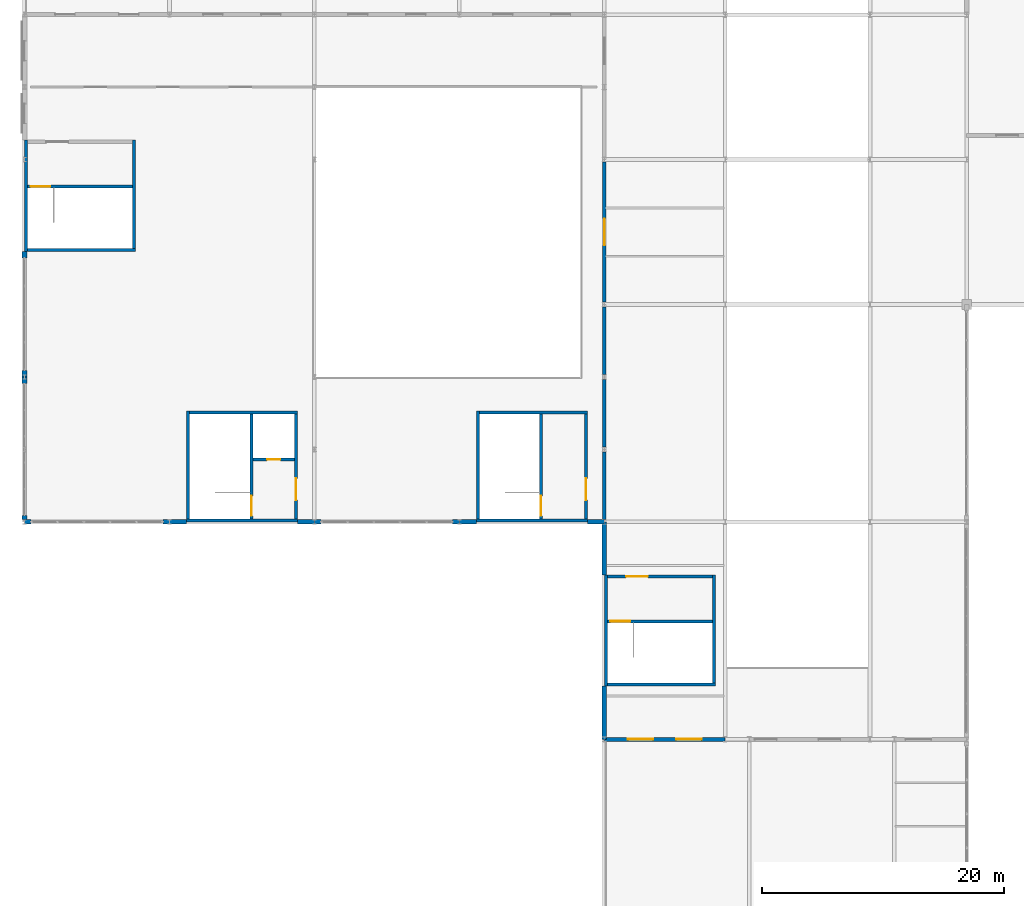
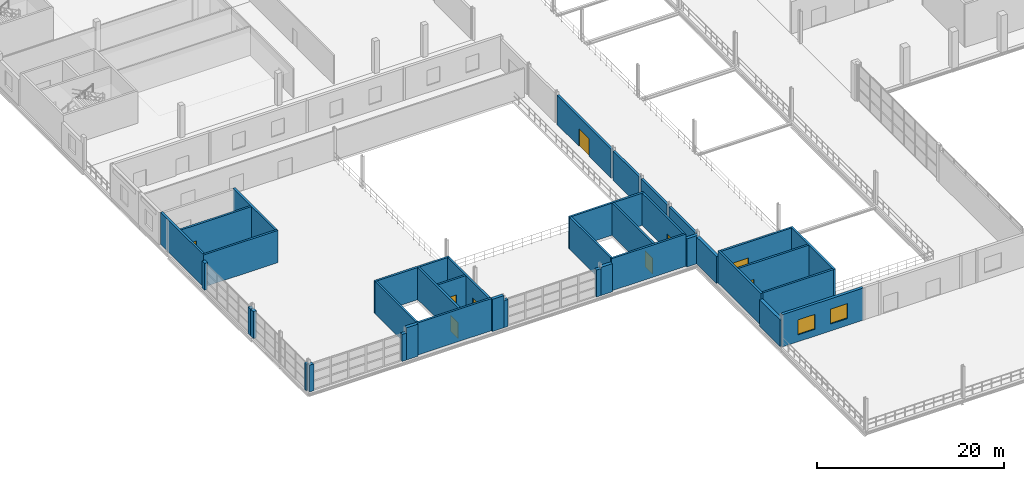
# One storey, part 131 of 147: 39 walls, 9 doors, 2 windows, 11 openings.
"""IFC4 building model written with IfcOpenShell, lengths in metres."""

from ifc_helpers import new_model, si_unit, direction, frame, frame_2d, origin, place, context, subcontext, project, spatial, rectangle, extrude, material, layer, layer_set, type_object, element, fill, save


model = new_model("IFC4")

# Units and contexts
model_context = context("Model", 3, precision=1e-05, world=origin(), true_north=direction((0.0, 1.0)))
body_context = subcontext(model_context, "Body", "Model", "MODEL_VIEW")
ifc_project = project(units=[si_unit("LENGTHUNIT", "METRE"), si_unit("AREAUNIT", "SQUARE_METRE"), si_unit("VOLUMEUNIT", "CUBIC_METRE"), si_unit("PLANEANGLEUNIT", "RADIAN"), si_unit("MASSUNIT", "GRAM", prefix="KILO")], contexts=[model_context])

# Site, building, storey
site_placement = place(None, origin())
site = spatial("IfcSite", under=ifc_project, at=site_placement, CompositionType="ELEMENT")
building_placement = place(site_placement, origin())
building = spatial("IfcBuilding", under=site, at=building_placement, Name="Zilviju Railside Exhibition Hall", CompositionType="ELEMENT")
storey_placement = place(building_placement, frame((0.0, 0.0, 8.39990234375)))
storey = spatial("IfcBuildingStorey", under=building, at=storey_placement, Name="L03", CompositionType="ELEMENT", Elevation=8.39990234375)

# Walls
ifc_material_1 = material(Name="Concrete C35/45", Category="concrete")
ifc_layer_1 = layer(ifc_material_1, 0.280029296875)
ifc_layer_set_1 = layer_set([ifc_layer_1], Name="Concrete C35/45")
wall_type_1 = type_object("IfcWallType", Name="WL-COMP-280", PredefinedType="SHEAR", material=ifc_layer_set_1)
for number, where, z_axis, x_axis, name in (
    (1, (48.0, 36.201904296875, 0.0), (0.0, 0.0, 1.0), (0.0, 1.0, 0.0), "REI 180 Congress-Concourse Compartment Wall L03"),
    (2, (48.0, 42.201904296875, 0.0), (0.0, 0.0, 1.0), (0.0, 1.0, 0.0), "REI 180 Congress-Concourse Compartment Wall L03"),
    (3, (48.0, 48.201904296875, 0.0), (0.0, 0.0, 1.0), (0.0, 1.0, 0.0), "REI 180 Congress-Concourse Compartment Wall L03"),
):
    element("IfcWall", number, at=place(storey_placement, frame(where, z_axis=z_axis, x_axis=x_axis)), inside=storey, type_object=wall_type_1, Name=name, PredefinedType="SHEAR", context=body_context, shape_type="SweptSolid", body=[
        extrude(rectangle(XDim=5.59619140625, YDim=0.280029296875, at=frame_2d((2.798095703125, 0.0))), origin(), (0.0, 0.0, 1.0), 3.800048828125),
    ])

# Wall, opening, door
wall_1_placement = place(storey_placement, frame((48.0, 54.201904296875, 0.0), z_axis=(0.0, 0.0, 1.0), x_axis=(0.0, 1.0, 0.0)))
wall_1 = element("IfcWall", 4, at=wall_1_placement, inside=storey, type_object=wall_type_1, Name="REI 180 Congress-Concourse Compartment Wall L03", PredefinedType="SHEAR", context=body_context, shape_type="SweptSolid", body=[
    extrude(rectangle(XDim=11.59619140625, YDim=0.280029296875, at=frame_2d((5.798095703125, 0.0))), origin(), (0.0, 0.0, 1.0), 3.800048828125),
])
opening_1_placement = place(wall_1_placement, frame((4.697998046875, 0.0, 0.0)))
opening_1 = element("IfcOpeningElement", 5, at=opening_1_placement, cuts=wall_1, Name="Opening FD-03", PredefinedType="OPENING", context=body_context, shape_type="SweptSolid", body=[
    extrude(rectangle(XDim=2.199951171875, YDim=2.300048828125, at=frame_2d((1.10009765625, 1.14990234375))), frame((0.0, 0.14990234375, 0.0), z_axis=(0.0, -1.0, 0.0), x_axis=(1.0, 0.0, 0.0)), (0.0, 0.0, 1.0), 0.300048828125),
])
ifc_material_2 = material(Name="Hold-open double compartment fire door EI 60", Category="wood")
door_type_1 = type_object("IfcDoorType", Name="DR-COMP-220x230", OperationType="NOTDEFINED", PredefinedType="DOOR", material=ifc_material_2)
door_1_placement = place(opening_1_placement, origin())
door_1 = element("IfcDoor", 6, at=door_1_placement, inside=storey, type_object=door_type_1, Name="Congress Link Fire Door L03", OperationType="DOUBLE_DOOR_SINGLE_SWING", OverallHeight=2.300048828125, OverallWidth=2.199951171875, PredefinedType="DOOR", context=body_context, shape_type="SweptSolid", body=[
    extrude(rectangle(XDim=2.199951171875, YDim=2.300048828125, at=frame_2d((1.10009765625, 1.14990234375))), frame((0.0, 0.02490234375, 0.0), z_axis=(0.0, -1.0, 0.0), x_axis=(1.0, 0.0, 0.0)), (0.0, 0.0, 1.0), 0.050048828125),
])
fill(opening_1, door_1)

# Walls
ifc_layer_2 = layer(ifc_material_1, 0.25)
ifc_layer_set_2 = layer_set([ifc_layer_2], Name="Concrete C35/45")
wall_type_2 = type_object("IfcWallType", Name="WL-CORE-250", PredefinedType="SHEAR", material=ifc_layer_set_2)
wall_2_placement = place(storey_placement, frame((48.0, 22.52490234375, 0.0), z_axis=(0.0, 0.0, 1.0), x_axis=(1.0, 0.0, 0.0)))
element("IfcWall", 7, at=wall_2_placement, inside=storey, type_object=wall_type_2, Name="Core C11 Winter Concourse Forecourt Stairwell Outer Wall L03", PredefinedType="SHEAR", context=body_context, shape_type="SweptSolid", body=[
    extrude(rectangle(XDim=9.199951171875, YDim=0.25, at=frame_2d((4.60009765625, 0.0))), origin(), (0.0, 0.0, 1.0), 4.2001953125),
])
wall_3_placement = place(storey_placement, frame((57.074951171875, 22.39990234375, 0.0), z_axis=(0.0, 0.0, 1.0), x_axis=(0.0, 1.0, 0.0)))
element("IfcWall", 8, at=wall_3_placement, inside=storey, type_object=wall_type_2, Name="Core C11 Winter Concourse Forecourt Core Rear Wall L03", PredefinedType="SHEAR", context=body_context, shape_type="SweptSolid", body=[
    extrude(rectangle(XDim=9.2001953125, YDim=0.25, at=frame_2d((4.60009765625, 0.0))), origin(), (0.0, 0.0, 1.0), 4.2001953125),
])

# Wall, opening, door
wall_4_placement = place(storey_placement, frame((48.0, 31.47509765625, 0.0), z_axis=(0.0, 0.0, 1.0), x_axis=(1.0, 0.0, 0.0)))
wall_4 = element("IfcWall", 9, at=wall_4_placement, inside=storey, type_object=wall_type_2, Name="Core C11 Winter Concourse Forecourt Lobby Side Wall L03", PredefinedType="SHEAR", context=body_context, shape_type="SweptSolid", body=[
    extrude(rectangle(XDim=9.199951171875, YDim=0.25, at=frame_2d((4.60009765625, 0.0))), origin(), (0.0, 0.0, 1.0), 4.2001953125),
])
opening_2_placement = place(wall_4_placement, frame((1.800048828125, 0.0, 0.0)))
opening_2 = element("IfcOpeningElement", 10, at=opening_2_placement, cuts=wall_4, Name="Opening FD-02", PredefinedType="OPENING", context=body_context, shape_type="SweptSolid", body=[
    extrude(rectangle(XDim=1.800048828125, YDim=2.14990234375, at=frame_2d((0.89990234375, 1.074951171875))), frame((0.0, 0.135009765625, 0.0), z_axis=(0.0, -1.0, 0.0), x_axis=(1.0, 0.0, 0.0)), (0.0, 0.0, 1.0), 0.27001953125),
])
ifc_material_3 = material(Name="Self-closing glazed steel core lobby fire door EI 60", Category="steel")
door_type_2 = type_object("IfcDoorType", Name="DR-LOBBY-180x215", OperationType="NOTDEFINED", PredefinedType="DOOR", material=ifc_material_3)
door_2_placement = place(opening_2_placement, origin())
door_2 = element("IfcDoor", 11, at=door_2_placement, inside=storey, type_object=door_type_2, Name="Core C11 Winter Concourse Forecourt Lobby Fire Door L03", OperationType="DOUBLE_DOOR_SINGLE_SWING", OverallHeight=2.14990234375, OverallWidth=1.800048828125, PredefinedType="DOOR", context=body_context, shape_type="SweptSolid", body=[
    extrude(rectangle(XDim=1.800048828125, YDim=2.14990234375, at=frame_2d((0.89990234375, 1.074951171875))), frame((0.0, 0.02490234375, 0.0), z_axis=(0.0, -1.0, 0.0), x_axis=(1.0, 0.0, 0.0)), (0.0, 0.0, 1.0), 0.050048828125),
])
fill(opening_2, door_2)

wall_5_placement = place(storey_placement, frame((48.25, 27.77490234375, 0.0), z_axis=(0.0, 0.0, 1.0), x_axis=(1.0, 0.0, 0.0)))
wall_5 = element("IfcWall", 12, at=wall_5_placement, inside=storey, type_object=wall_type_2, Name="Core C11 Winter Concourse Forecourt Stairwell Partition Wall L03", PredefinedType="SHEAR", context=body_context, shape_type="SweptSolid", body=[
    extrude(rectangle(XDim=8.699951171875, YDim=0.25, at=frame_2d((4.35009765625, 0.0))), origin(), (0.0, 0.0, 1.0), 4.2001953125),
])
opening_3_placement = place(wall_5_placement, frame((0.25, 0.0, 0.0)))
opening_3 = element("IfcOpeningElement", 13, at=opening_3_placement, cuts=wall_5, Name="Opening FD-01", PredefinedType="OPENING", context=body_context, shape_type="SweptSolid", body=[
    extrude(rectangle(XDim=1.64990234375, YDim=2.10009765625, at=frame_2d((0.824951171875, 1.050048828125))), frame((0.0, 0.135009765625, 0.0), z_axis=(0.0, -1.0, 0.0), x_axis=(1.0, 0.0, 0.0)), (0.0, 0.0, 1.0), 0.27001953125),
])
ifc_material_4 = material(Name="Self-closing steel stair enclosure fire door EI 60", Category="steel")
door_type_3 = type_object("IfcDoorType", Name="DR-STAIR-165x210", OperationType="NOTDEFINED", PredefinedType="DOOR", material=ifc_material_4)
door_3_placement = place(opening_3_placement, origin())
door_3 = element("IfcDoor", 14, at=door_3_placement, inside=storey, type_object=door_type_3, Name="Core C11 Winter Concourse Forecourt Protected Stair Door L03", OperationType="SINGLE_SWING_LEFT", OverallHeight=2.10009765625, OverallWidth=1.64990234375, PredefinedType="DOOR", context=body_context, shape_type="SweptSolid", body=[
    extrude(rectangle(XDim=1.64990234375, YDim=2.10009765625, at=frame_2d((0.824951171875, 1.050048828125))), frame((0.0, 0.02490234375, 0.0), z_axis=(0.0, -1.0, 0.0), x_axis=(1.0, 0.0, 0.0)), (0.0, 0.0, 1.0), 0.050048828125),
])
fill(opening_3, door_3)

# Walls
wall_6_placement = place(storey_placement, frame((13.52490234375, 36.0, 0.0), z_axis=(0.0, 0.0, 1.0), x_axis=(0.0, 1.0, 0.0)))
element("IfcWall", 15, at=wall_6_placement, inside=storey, type_object=wall_type_2, Name="Core C12 Congress Plenary SouthW Stairwell Outer Wall L03", PredefinedType="SHEAR", context=body_context, shape_type="SweptSolid", body=[
    extrude(rectangle(XDim=9.199951171875, YDim=0.25, at=frame_2d((4.60009765625, 0.0))), origin(), (0.0, 0.0, 1.0), 4.2001953125),
])
wall_7_placement = place(storey_placement, frame((13.39990234375, 45.074951171875, 0.0), z_axis=(0.0, 0.0, 1.0), x_axis=(1.0, 0.0, 0.0)))
element("IfcWall", 16, at=wall_7_placement, inside=storey, type_object=wall_type_2, Name="Core C12 Congress Plenary SouthW Core Rear Wall L03", PredefinedType="SHEAR", context=body_context, shape_type="SweptSolid", body=[
    extrude(rectangle(XDim=9.2001953125, YDim=0.25, at=frame_2d((4.60009765625, 0.0))), origin(), (0.0, 0.0, 1.0), 4.2001953125),
])

# Wall, opening, door
wall_8_placement = place(storey_placement, frame((22.47509765625, 36.0, 0.0), z_axis=(0.0, 0.0, 1.0), x_axis=(0.0, 1.0, 0.0)))
wall_8 = element("IfcWall", 17, at=wall_8_placement, inside=storey, type_object=wall_type_2, Name="Core C12 Congress Plenary SouthW Lobby Side Wall L03", PredefinedType="SHEAR", context=body_context, shape_type="SweptSolid", body=[
    extrude(rectangle(XDim=9.199951171875, YDim=0.25, at=frame_2d((4.60009765625, 0.0))), origin(), (0.0, 0.0, 1.0), 4.2001953125),
])
opening_4_placement = place(wall_8_placement, frame((1.800048828125, 0.0, 0.0)))
opening_4 = element("IfcOpeningElement", 18, at=opening_4_placement, cuts=wall_8, Name="Opening FD-02", PredefinedType="OPENING", context=body_context, shape_type="SweptSolid", body=[
    extrude(rectangle(XDim=1.800048828125, YDim=2.14990234375, at=frame_2d((0.89990234375, 1.074951171875))), frame((0.0, 0.135009765625, 0.0), z_axis=(0.0, -1.0, 0.0), x_axis=(1.0, 0.0, 0.0)), (0.0, 0.0, 1.0), 0.27001953125),
])
door_4_placement = place(opening_4_placement, origin())
door_4 = element("IfcDoor", 19, at=door_4_placement, inside=storey, type_object=door_type_2, Name="Core C12 Congress Plenary SouthW Lobby Fire Door L03", OperationType="DOUBLE_DOOR_SINGLE_SWING", OverallHeight=2.14990234375, OverallWidth=1.800048828125, PredefinedType="DOOR", context=body_context, shape_type="SweptSolid", body=[
    extrude(rectangle(XDim=1.800048828125, YDim=2.14990234375, at=frame_2d((0.89990234375, 1.074951171875))), frame((0.0, 0.02490234375, 0.0), z_axis=(0.0, -1.0, 0.0), x_axis=(1.0, 0.0, 0.0)), (0.0, 0.0, 1.0), 0.050048828125),
])
fill(opening_4, door_4)

wall_9_placement = place(storey_placement, frame((18.77490234375, 36.25, 0.0), z_axis=(0.0, 0.0, 1.0), x_axis=(0.0, 1.0, 0.0)))
wall_9 = element("IfcWall", 20, at=wall_9_placement, inside=storey, type_object=wall_type_2, Name="Core C12 Congress Plenary SouthW Stairwell Partition Wall L03", PredefinedType="SHEAR", context=body_context, shape_type="SweptSolid", body=[
    extrude(rectangle(XDim=8.699951171875, YDim=0.25, at=frame_2d((4.35009765625, 0.0))), origin(), (0.0, 0.0, 1.0), 4.2001953125),
])
opening_5_placement = place(wall_9_placement, frame((0.25, 0.0, 0.0)))
opening_5 = element("IfcOpeningElement", 21, at=opening_5_placement, cuts=wall_9, Name="Opening FD-01", PredefinedType="OPENING", context=body_context, shape_type="SweptSolid", body=[
    extrude(rectangle(XDim=1.64990234375, YDim=2.10009765625, at=frame_2d((0.824951171875, 1.050048828125))), frame((0.0, 0.135009765625, 0.0), z_axis=(0.0, -1.0, 0.0), x_axis=(1.0, 0.0, 0.0)), (0.0, 0.0, 1.0), 0.27001953125),
])
door_5_placement = place(opening_5_placement, origin())
door_5 = element("IfcDoor", 22, at=door_5_placement, inside=storey, type_object=door_type_3, Name="Core C12 Congress Plenary SouthW Protected Stair Door L03", OperationType="SINGLE_SWING_RIGHT", OverallHeight=2.10009765625, OverallWidth=1.64990234375, PredefinedType="DOOR", context=body_context, shape_type="SweptSolid", body=[
    extrude(rectangle(XDim=1.64990234375, YDim=2.10009765625, at=frame_2d((0.824951171875, 1.050048828125))), frame((0.0, 0.02490234375, 0.0), z_axis=(0.0, -1.0, 0.0), x_axis=(1.0, 0.0, 0.0)), (0.0, 0.0, 1.0), 0.050048828125),
])
fill(opening_5, door_5)

wall_10_placement = place(storey_placement, frame((18.89990234375, 41.175048828125, 0.0), z_axis=(0.0, 0.0, 1.0), x_axis=(1.0, 0.0, 0.0)))
wall_10 = element("IfcWall", 23, at=wall_10_placement, inside=storey, type_object=wall_type_2, Name="Core C12 Congress Plenary SouthW Lift Shaft Front Wall L03", PredefinedType="SHEAR", context=body_context, shape_type="SweptSolid", body=[
    extrude(rectangle(XDim=3.4501953125, YDim=0.25, at=frame_2d((1.72509765625, 0.0))), origin(), (0.0, 0.0, 1.0), 4.2001953125),
])
opening_6_placement = place(wall_10_placement, frame((1.175048828125, 0.0, 0.0)))
opening_6 = element("IfcOpeningElement", 24, at=opening_6_placement, cuts=wall_10, Name="Opening LD-01", PredefinedType="OPENING", context=body_context, shape_type="SweptSolid", body=[
    extrude(rectangle(XDim=1.10009765625, YDim=2.10009765625, at=frame_2d((0.550048828125, 1.050048828125))), frame((0.0, 0.135009765625, 0.0), z_axis=(0.0, -1.0, 0.0), x_axis=(1.0, 0.0, 0.0)), (0.0, 0.0, 1.0), 0.27001953125),
])
ifc_material_5 = material(Name="Passenger lift sliding landing door EI 60", Category="wood")
door_type_4 = type_object("IfcDoorType", Name="DR-LIFT-110x210", OperationType="NOTDEFINED", PredefinedType="DOOR", material=ifc_material_5)
door_6_placement = place(opening_6_placement, origin())
door_6 = element("IfcDoor", 25, at=door_6_placement, inside=storey, type_object=door_type_4, Name="Lift Landing Door LP-05 L03", OperationType="SLIDING_TO_RIGHT", OverallHeight=2.10009765625, OverallWidth=1.10009765625, PredefinedType="DOOR", context=body_context, shape_type="SweptSolid", body=[
    extrude(rectangle(XDim=1.10009765625, YDim=2.10009765625, at=frame_2d((0.550048828125, 1.050048828125))), frame((0.0, 0.02490234375, 0.0), z_axis=(0.0, -1.0, 0.0), x_axis=(1.0, 0.0, 0.0)), (0.0, 0.0, 1.0), 0.050048828125),
])
fill(opening_6, door_6)

# Walls
wall_11_placement = place(storey_placement, frame((37.52490234375, 36.0, 0.0), z_axis=(0.0, 0.0, 1.0), x_axis=(0.0, 1.0, 0.0)))
element("IfcWall", 26, at=wall_11_placement, inside=storey, type_object=wall_type_2, Name="Core C13 Congress Plenary SouthE Stairwell Outer Wall L03", PredefinedType="SHEAR", context=body_context, shape_type="SweptSolid", body=[
    extrude(rectangle(XDim=9.199951171875, YDim=0.25, at=frame_2d((4.60009765625, 0.0))), origin(), (0.0, 0.0, 1.0), 4.2001953125),
])
wall_12_placement = place(storey_placement, frame((37.39990234375, 45.074951171875, 0.0), z_axis=(0.0, 0.0, 1.0), x_axis=(1.0, 0.0, 0.0)))
element("IfcWall", 27, at=wall_12_placement, inside=storey, type_object=wall_type_2, Name="Core C13 Congress Plenary SouthE Core Rear Wall L03", PredefinedType="SHEAR", context=body_context, shape_type="SweptSolid", body=[
    extrude(rectangle(XDim=9.2001953125, YDim=0.25, at=frame_2d((4.60009765625, 0.0))), origin(), (0.0, 0.0, 1.0), 4.2001953125),
])

# Wall, opening, door
wall_13_placement = place(storey_placement, frame((46.47509765625, 36.0, 0.0), z_axis=(0.0, 0.0, 1.0), x_axis=(0.0, 1.0, 0.0)))
wall_13 = element("IfcWall", 28, at=wall_13_placement, inside=storey, type_object=wall_type_2, Name="Core C13 Congress Plenary SouthE Lobby Side Wall L03", PredefinedType="SHEAR", context=body_context, shape_type="SweptSolid", body=[
    extrude(rectangle(XDim=9.199951171875, YDim=0.25, at=frame_2d((4.60009765625, 0.0))), origin(), (0.0, 0.0, 1.0), 4.2001953125),
])
opening_7_placement = place(wall_13_placement, frame((1.800048828125, 0.0, 0.0)))
opening_7 = element("IfcOpeningElement", 29, at=opening_7_placement, cuts=wall_13, Name="Opening FD-02", PredefinedType="OPENING", context=body_context, shape_type="SweptSolid", body=[
    extrude(rectangle(XDim=1.800048828125, YDim=2.14990234375, at=frame_2d((0.89990234375, 1.074951171875))), frame((0.0, 0.135009765625, 0.0), z_axis=(0.0, -1.0, 0.0), x_axis=(1.0, 0.0, 0.0)), (0.0, 0.0, 1.0), 0.27001953125),
])
door_7_placement = place(opening_7_placement, origin())
door_7 = element("IfcDoor", 30, at=door_7_placement, inside=storey, type_object=door_type_2, Name="Core C13 Congress Plenary SouthE Lobby Fire Door L03", OperationType="DOUBLE_DOOR_SINGLE_SWING", OverallHeight=2.14990234375, OverallWidth=1.800048828125, PredefinedType="DOOR", context=body_context, shape_type="SweptSolid", body=[
    extrude(rectangle(XDim=1.800048828125, YDim=2.14990234375, at=frame_2d((0.89990234375, 1.074951171875))), frame((0.0, 0.02490234375, 0.0), z_axis=(0.0, -1.0, 0.0), x_axis=(1.0, 0.0, 0.0)), (0.0, 0.0, 1.0), 0.050048828125),
])
fill(opening_7, door_7)

wall_14_placement = place(storey_placement, frame((42.77490234375, 36.25, 0.0), z_axis=(0.0, 0.0, 1.0), x_axis=(0.0, 1.0, 0.0)))
wall_14 = element("IfcWall", 31, at=wall_14_placement, inside=storey, type_object=wall_type_2, Name="Core C13 Congress Plenary SouthE Stairwell Partition Wall L03", PredefinedType="SHEAR", context=body_context, shape_type="SweptSolid", body=[
    extrude(rectangle(XDim=8.699951171875, YDim=0.25, at=frame_2d((4.35009765625, 0.0))), origin(), (0.0, 0.0, 1.0), 4.2001953125),
])
opening_8_placement = place(wall_14_placement, frame((0.25, 0.0, 0.0)))
opening_8 = element("IfcOpeningElement", 32, at=opening_8_placement, cuts=wall_14, Name="Opening FD-01", PredefinedType="OPENING", context=body_context, shape_type="SweptSolid", body=[
    extrude(rectangle(XDim=1.64990234375, YDim=2.10009765625, at=frame_2d((0.824951171875, 1.050048828125))), frame((0.0, 0.135009765625, 0.0), z_axis=(0.0, -1.0, 0.0), x_axis=(1.0, 0.0, 0.0)), (0.0, 0.0, 1.0), 0.27001953125),
])
door_8_placement = place(opening_8_placement, origin())
door_8 = element("IfcDoor", 33, at=door_8_placement, inside=storey, type_object=door_type_3, Name="Core C13 Congress Plenary SouthE Protected Stair Door L03", OperationType="SINGLE_SWING_LEFT", OverallHeight=2.10009765625, OverallWidth=1.64990234375, PredefinedType="DOOR", context=body_context, shape_type="SweptSolid", body=[
    extrude(rectangle(XDim=1.64990234375, YDim=2.10009765625, at=frame_2d((0.824951171875, 1.050048828125))), frame((0.0, 0.02490234375, 0.0), z_axis=(0.0, -1.0, 0.0), x_axis=(1.0, 0.0, 0.0)), (0.0, 0.0, 1.0), 0.050048828125),
])
fill(opening_8, door_8)

# Walls
wall_15_placement = place(storey_placement, frame((0.0, 58.52490234375, 0.0), z_axis=(0.0, 0.0, 1.0), x_axis=(1.0, 0.0, 0.0)))
element("IfcWall", 34, at=wall_15_placement, inside=storey, type_object=wall_type_2, Name="Core C14 Congress Plenary West Stairwell Outer Wall L03", PredefinedType="SHEAR", context=body_context, shape_type="SweptSolid", body=[
    extrude(rectangle(XDim=9.199951171875, YDim=0.25, at=frame_2d((4.60009765625, 0.0))), origin(), (0.0, 0.0, 1.0), 4.2001953125),
])
wall_16_placement = place(storey_placement, frame((9.074951171875, 58.39990234375, 0.0), z_axis=(0.0, 0.0, 1.0), x_axis=(0.0, 1.0, 0.0)))
element("IfcWall", 35, at=wall_16_placement, inside=storey, type_object=wall_type_2, Name="Core C14 Congress Plenary West Core Rear Wall L03", PredefinedType="SHEAR", context=body_context, shape_type="SweptSolid", body=[
    extrude(rectangle(XDim=9.2001953125, YDim=0.25, at=frame_2d((4.60009765625, 0.0))), origin(), (0.0, 0.0, 1.0), 4.2001953125),
])

# Wall, opening, door
wall_17_placement = place(storey_placement, frame((0.25, 63.77490234375, 0.0), z_axis=(0.0, 0.0, 1.0), x_axis=(1.0, 0.0, 0.0)))
wall_17 = element("IfcWall", 36, at=wall_17_placement, inside=storey, type_object=wall_type_2, Name="Core C14 Congress Plenary West Stairwell Partition Wall L03", PredefinedType="SHEAR", context=body_context, shape_type="SweptSolid", body=[
    extrude(rectangle(XDim=8.699951171875, YDim=0.25, at=frame_2d((4.35009765625, 0.0))), origin(), (0.0, 0.0, 1.0), 4.2001953125),
])
opening_9_placement = place(wall_17_placement, frame((0.25, 0.0, 0.0)))
opening_9 = element("IfcOpeningElement", 37, at=opening_9_placement, cuts=wall_17, Name="Opening FD-01", PredefinedType="OPENING", context=body_context, shape_type="SweptSolid", body=[
    extrude(rectangle(XDim=1.64990234375, YDim=2.10009765625, at=frame_2d((0.824951171875, 1.050048828125))), frame((0.0, 0.135009765625, 0.0), z_axis=(0.0, -1.0, 0.0), x_axis=(1.0, 0.0, 0.0)), (0.0, 0.0, 1.0), 0.27001953125),
])
door_9_placement = place(opening_9_placement, origin())
door_9 = element("IfcDoor", 38, at=door_9_placement, inside=storey, type_object=door_type_3, Name="Core C14 Congress Plenary West Protected Stair Door L03", OperationType="SINGLE_SWING_RIGHT", OverallHeight=2.10009765625, OverallWidth=1.64990234375, PredefinedType="DOOR", context=body_context, shape_type="SweptSolid", body=[
    extrude(rectangle(XDim=1.64990234375, YDim=2.10009765625, at=frame_2d((0.824951171875, 1.050048828125))), frame((0.0, 0.02490234375, 0.0), z_axis=(0.0, -1.0, 0.0), x_axis=(1.0, 0.0, 0.0)), (0.0, 0.0, 1.0), 0.050048828125),
])
fill(opening_9, door_9)

# Walls
ifc_material_6 = material(Name="Concrete C40/50", Category="concrete")
ifc_layer_3 = layer(ifc_material_6, 0.25)
ifc_layer_set_3 = layer_set([ifc_layer_3], Name="Concrete C40/50")
wall_type_3 = type_object("IfcWallType", Name="WL-CORE-300", PredefinedType="SHEAR", material=ifc_layer_set_3)
for number, where, z_axis, x_axis, name in (
    (39, (48.125, 22.39990234375, 0.0), (0.0, 0.0, 1.0), (0.0, 1.0, 0.0), "Core C11 Winter Concourse Forecourt Exterior Core Wall L03"),
    (40, (22.60009765625, 36.125, 0.0), (0.0, 0.0, 1.0), (-1.0, 0.0, 0.0), "Core C12 Congress Plenary SouthW Exterior Core Wall L03"),
    (41, (46.60009765625, 36.125, 0.0), (0.0, 0.0, 1.0), (-1.0, 0.0, 0.0), "Core C13 Congress Plenary SouthE Exterior Core Wall L03"),
    (42, (0.125, 58.39990234375, 0.0), (0.0, 0.0, 1.0), (0.0, 1.0, 0.0), "Core C14 Congress Plenary West Exterior Core Wall L03"),
):
    element("IfcWall", number, at=place(storey_placement, frame(where, z_axis=z_axis, x_axis=x_axis)), inside=storey, type_object=wall_type_3, Name=name, PredefinedType="SHEAR", context=body_context, shape_type="SweptSolid", body=[
        extrude(rectangle(XDim=9.2001953125, YDim=0.25, at=frame_2d((4.60009765625, 0.0))), origin(), (0.0, 0.0, 1.0), 4.2001953125),
    ])

# Wall, openings, windows
ifc_material_7 = material(Name="Insulated terrace foyer masonry wall", Category="masonry")
ifc_layer_4 = layer(ifc_material_7, 0.340087890625)
ifc_layer_set_4 = layer_set([ifc_layer_4], Name="Insulated terrace foyer masonry wall")
wall_type_4 = type_object("IfcWallType", Name="WL-EXT-340", PredefinedType="SOLIDWALL", material=ifc_layer_set_4)
wall_18_placement = place(storey_placement, frame((58.0, 18.0, 0.0), z_axis=(0.0, 0.0, 1.0), x_axis=(-1.0, 0.0, 0.0)))
wall_18 = element("IfcWall", 43, at=wall_18_placement, inside=storey, type_object=wall_type_4, Name="Exterior Facade Wall L03 South 0410", PredefinedType="SOLIDWALL", context=body_context, shape_type="SweptSolid", body=[
    extrude(rectangle(XDim=10.0, YDim=0.340087890625, at=frame_2d((5.0, 0.0))), origin(), (0.0, 0.0, 1.0), 4.2001953125),
])
opening_10_placement = place(wall_18_placement, frame((1.949951171875, 0.0, 0.89990234375)))
opening_10 = element("IfcOpeningElement", 44, at=opening_10_placement, cuts=wall_18, Name="Opening WN-15", PredefinedType="OPENING", context=body_context, shape_type="SweptSolid", body=[
    extrude(rectangle(XDim=2.10009765625, YDim=1.949951171875, at=frame_2d((1.050048828125, 0.97509765625))), frame((0.0, 0.179931640625, 0.0), z_axis=(0.0, -1.0, 0.0), x_axis=(1.0, 0.0, 0.0)), (0.0, 0.0, 1.0), 0.360107421875),
])
opening_11_placement = place(wall_18_placement, frame((5.949951171875, 0.0, 0.89990234375)))
opening_11 = element("IfcOpeningElement", 45, at=opening_11_placement, cuts=wall_18, Name="Opening WN-15", PredefinedType="OPENING", context=body_context, shape_type="SweptSolid", body=[
    extrude(rectangle(XDim=2.10009765625, YDim=1.949951171875, at=frame_2d((1.050048828125, 0.97509765625))), frame((0.0, 0.179931640625, 0.0), z_axis=(0.0, -1.0, 0.0), x_axis=(1.0, 0.0, 0.0)), (0.0, 0.0, 1.0), 0.360107421875),
])
ifc_material_8 = material(Name="Triple-glazed timber-aluminium window unit", Category="wood")
window_type = type_object("IfcWindowType", Name="WIN-CON-210x195", PartitioningType="DOUBLE_PANEL_VERTICAL", PredefinedType="WINDOW", material=ifc_material_8)
window_1_placement = place(opening_10_placement, origin())
window_1 = element("IfcWindow", 46, at=window_1_placement, inside=storey, type_object=window_type, Name="Facade Window L03 WN-0015", OverallHeight=1.949951171875, OverallWidth=2.10009765625, PartitioningType="SINGLE_PANEL", PredefinedType="WINDOW", context=body_context, shape_type="SweptSolid", body=[
    extrude(rectangle(XDim=2.10009765625, YDim=1.949951171875, at=frame_2d((1.050048828125, 0.97509765625))), frame((0.0, 0.030029296875, 0.0), z_axis=(0.0, -1.0, 0.0), x_axis=(1.0, 0.0, 0.0)), (0.0, 0.0, 1.0), 0.06005859375),
])
fill(opening_10, window_1)
window_2_placement = place(opening_11_placement, origin())
window_2 = element("IfcWindow", 47, at=window_2_placement, inside=storey, type_object=window_type, Name="Facade Window L03 WN-0016", OverallHeight=1.949951171875, OverallWidth=2.10009765625, PartitioningType="SINGLE_PANEL", PredefinedType="WINDOW", context=body_context, shape_type="SweptSolid", body=[
    extrude(rectangle(XDim=2.10009765625, YDim=1.949951171875, at=frame_2d((1.050048828125, 0.97509765625))), frame((0.0, 0.030029296875, 0.0), z_axis=(0.0, -1.0, 0.0), x_axis=(1.0, 0.0, 0.0)), (0.0, 0.0, 1.0), 0.06005859375),
])
fill(opening_11, window_2)

# Walls
ifc_material_9 = material(Name="Insulated cream-brick upper facade wall", Category="masonry")
ifc_layer_5 = layer(ifc_material_9, 0.3798828125)
ifc_layer_set_5 = layer_set([ifc_layer_5], Name="Insulated cream-brick upper facade wall")
wall_type_5 = type_object("IfcWallType", Name="WL-EXT-380", PredefinedType="SOLIDWALL", material=ifc_layer_set_5)
for number, where, z_axis, x_axis, name in (
    (48, (48.0, 18.0, 0.0), (0.0, 0.0, 1.0), (0.0, 1.0, 0.0), "Exterior Facade Wall L03 West 0408"),
    (49, (48.0, 31.60009765625, 0.0), (0.0, 0.0, 1.0), (0.0, 1.0, 0.0), "Exterior Facade Wall L03 West 0409"),
):
    element("IfcWall", number, at=place(storey_placement, frame(where, z_axis=z_axis, x_axis=x_axis)), inside=storey, type_object=wall_type_5, Name=name, PredefinedType="SOLIDWALL", context=body_context, shape_type="SweptSolid", body=[
        extrude(rectangle(XDim=4.39990234375, YDim=0.3798828125, at=frame_2d((2.199951171875, 0.0))), origin(), (0.0, 0.0, 1.0), 3.47998046875),
    ])
wall_19_placement = place(storey_placement, frame((0.550048828125, 36.0, 0.0), z_axis=(0.0, 0.0, 1.0), x_axis=(-1.0, 0.0, 0.0)))
element("IfcWall", 50, at=wall_19_placement, inside=storey, type_object=wall_type_5, Name="Curtain-Wall Jamb Closure Pier L03 0448", PredefinedType="SOLIDWALL", context=body_context, shape_type="SweptSolid", body=[
    extrude(rectangle(XDim=0.550048828125, YDim=0.3798828125, at=frame_2d((0.27490234375, 0.0))), origin(), (0.0, 0.0, 1.0), 3.52001953125),
])
wall_20_placement = place(storey_placement, frame((11.998046875, 36.0, 0.0), z_axis=(0.0, 0.0, 1.0), x_axis=(-1.0, 0.0, 0.0)))
element("IfcWall", 51, at=wall_20_placement, inside=storey, type_object=wall_type_5, Name="Curtain-Wall Jamb Closure Pier L03 0449", PredefinedType="SOLIDWALL", context=body_context, shape_type="SweptSolid", body=[
    extrude(rectangle(XDim=0.548095703125, YDim=0.3798828125, at=frame_2d((0.27392578125, 0.0))), origin(), (0.0, 0.0, 1.0), 3.52001953125),
])
for number, where, z_axis, x_axis, name in (
    (52, (13.39990234375, 36.0, 0.0), (0.0, 0.0, 1.0), (-1.0, 0.0, 0.0), "Exterior Facade Wall L03 South 0450"),
    (53, (24.0, 36.0, 0.0), (0.0, 0.0, 1.0), (-1.0, 0.0, 0.0), "Exterior Facade Wall L03 South 0451"),
):
    element("IfcWall", number, at=place(storey_placement, frame(where, z_axis=z_axis, x_axis=x_axis)), inside=storey, type_object=wall_type_5, Name=name, PredefinedType="SOLIDWALL", context=body_context, shape_type="SweptSolid", body=[
        extrude(rectangle(XDim=1.39990234375, YDim=0.3798828125, at=frame_2d((0.699951171875, 0.0))), origin(), (0.0, 0.0, 1.0), 4.2001953125),
    ])
for number, where, z_axis, x_axis, name in (
    (54, (24.550048828125, 36.0, 0.0), (0.0, 0.0, 1.0), (-1.0, 0.0, 0.0), "Curtain-Wall Jamb Closure Pier L03 0452"),
    (55, (35.998046875, 36.0, 0.0), (0.0, 0.0, 1.0), (-1.0, 0.0, 0.0), "Curtain-Wall Jamb Closure Pier L03 0453"),
):
    element("IfcWall", number, at=place(storey_placement, frame(where, z_axis=z_axis, x_axis=x_axis)), inside=storey, type_object=wall_type_5, Name=name, PredefinedType="SOLIDWALL", context=body_context, shape_type="SweptSolid", body=[
        extrude(rectangle(XDim=0.548095703125, YDim=0.3798828125, at=frame_2d((0.27392578125, 0.0))), origin(), (0.0, 0.0, 1.0), 3.52001953125),
    ])
for number, where, z_axis, x_axis, name in (
    (56, (37.39990234375, 36.0, 0.0), (0.0, 0.0, 1.0), (-1.0, 0.0, 0.0), "Exterior Facade Wall L03 South 0454"),
    (57, (48.0, 36.0, 0.0), (0.0, 0.0, 1.0), (-1.0, 0.0, 0.0), "Exterior Facade Wall L03 South 0455"),
):
    element("IfcWall", number, at=place(storey_placement, frame(where, z_axis=z_axis, x_axis=x_axis)), inside=storey, type_object=wall_type_5, Name=name, PredefinedType="SOLIDWALL", context=body_context, shape_type="SweptSolid", body=[
        extrude(rectangle(XDim=1.39990234375, YDim=0.3798828125, at=frame_2d((0.699951171875, 0.0))), origin(), (0.0, 0.0, 1.0), 3.690185546875),
    ])
wall_21_placement = place(storey_placement, frame((0.0, 36.19189453125, 0.0), z_axis=(0.0, 0.0, 1.0), x_axis=(0.0, 1.0, 0.0)))
element("IfcWall", 58, at=wall_21_placement, inside=storey, type_object=wall_type_5, Name="Curtain-Wall Jamb Closure Pier L03 0456", PredefinedType="SOLIDWALL", context=body_context, shape_type="SweptSolid", body=[
    extrude(rectangle(XDim=0.358154296875, YDim=0.3798828125, at=frame_2d((0.17919921875, 0.0))), origin(), (0.0, 0.0, 1.0), 3.5),
])
wall_22_placement = place(storey_placement, frame((0.0, 47.449951171875, 0.0), z_axis=(0.0, 0.0, 1.0), x_axis=(0.0, 1.0, 0.0)))
element("IfcWall", 59, at=wall_22_placement, inside=storey, type_object=wall_type_5, Name="Curtain-Wall Jamb Closure Pier L03 0457", PredefinedType="SOLIDWALL", context=body_context, shape_type="SweptSolid", body=[
    extrude(rectangle(XDim=0.550048828125, YDim=0.3798828125, at=frame_2d((0.27490234375, 0.0))), origin(), (0.0, 0.0, 1.0), 3.5),
])
wall_23_placement = place(storey_placement, frame((0.0, 48.001953125, 0.0), z_axis=(0.0, 0.0, 1.0), x_axis=(0.0, 1.0, 0.0)))
element("IfcWall", 60, at=wall_23_placement, inside=storey, type_object=wall_type_5, Name="Curtain-Wall Jamb Closure Pier L03 0458", PredefinedType="SOLIDWALL", context=body_context, shape_type="SweptSolid", body=[
    extrude(rectangle(XDim=0.548095703125, YDim=0.3798828125, at=frame_2d((0.27392578125, 0.0))), origin(), (0.0, 0.0, 1.0), 3.5),
])
wall_24_placement = place(storey_placement, frame((0.0, 57.85009765625, 0.0), z_axis=(0.0, 0.0, 1.0), x_axis=(0.0, 1.0, 0.0)))
element("IfcWall", 61, at=wall_24_placement, inside=storey, type_object=wall_type_5, Name="Curtain-Wall Jamb Closure Pier L03 0459", PredefinedType="SOLIDWALL", context=body_context, shape_type="SweptSolid", body=[
    extrude(rectangle(XDim=0.5478515625, YDim=0.3798828125, at=frame_2d((0.27392578125, 0.0))), origin(), (0.0, 0.0, 1.0), 3.5),
])

save(model, "model.ifc")
